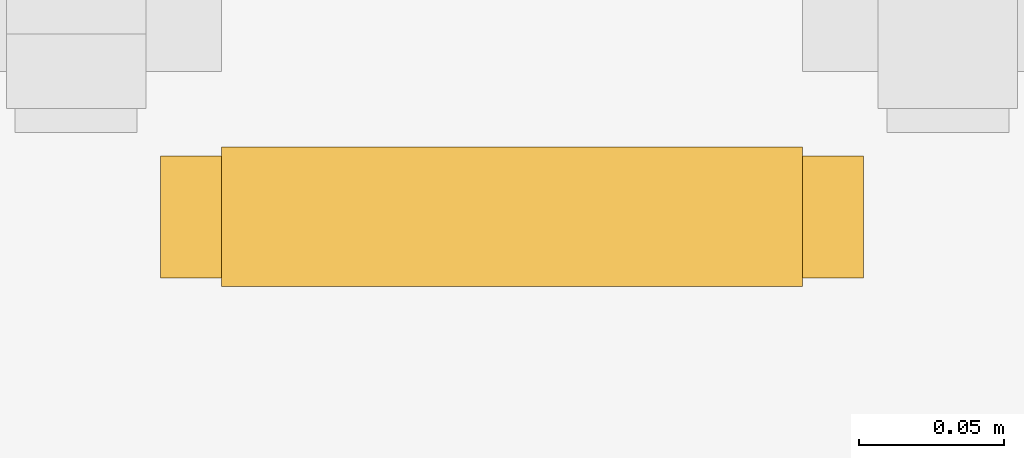
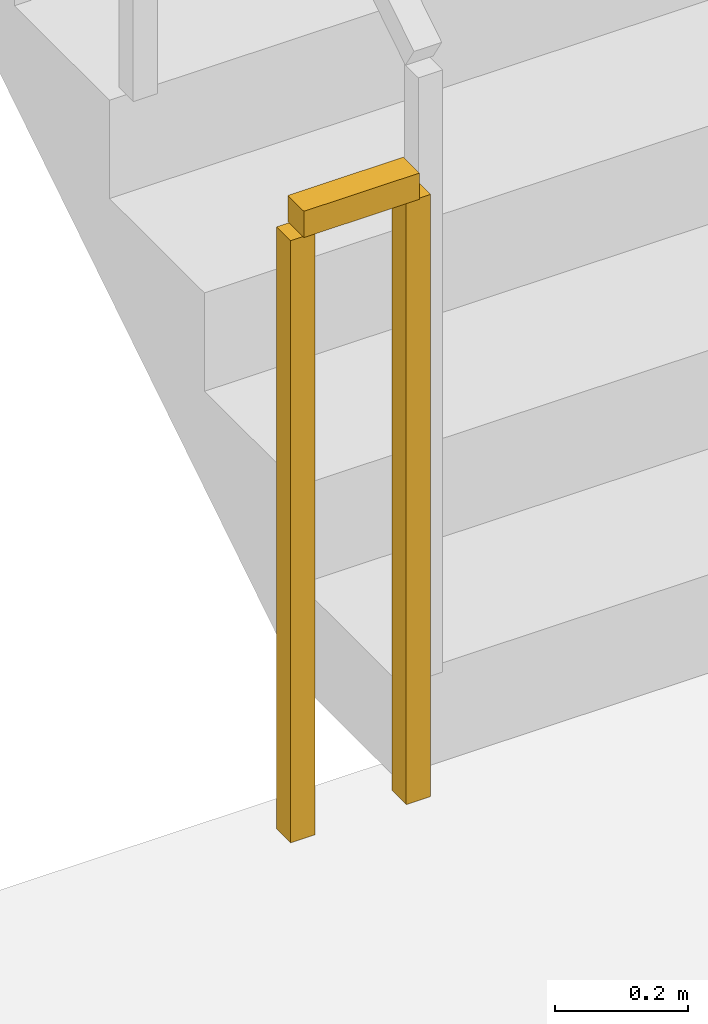
# One storey, part 23 of 25: 1 railing.
"""IFC4 building model written with IfcOpenShell, lengths in metres."""

from ifc_helpers import new_model, si_unit, direction, frame, origin, origin_2d, place, context, subcontext, project, spatial, rectangle, extrude, material, type_object, element, save


model = new_model("IFC4")

# Units and contexts
model_context = context("Model", 3, precision=1e-05, world=origin(), true_north=direction((0.0, 1.0)))
body_context = subcontext(model_context, "Body", "Model", "MODEL_VIEW")
ifc_project = project(units=[si_unit("LENGTHUNIT", "METRE"), si_unit("AREAUNIT", "SQUARE_METRE"), si_unit("VOLUMEUNIT", "CUBIC_METRE"), si_unit("PLANEANGLEUNIT", "RADIAN"), si_unit("MASSUNIT", "GRAM", prefix="KILO")], contexts=[model_context])

# Site, building, storey
site_placement = place(None, origin())
site = spatial("IfcSite", under=ifc_project, at=site_placement, CompositionType="ELEMENT")
building_placement = place(site_placement, origin())
building = spatial("IfcBuilding", under=site, at=building_placement, Name="Sarneth Arch Tower", CompositionType="ELEMENT")
storey_placement = place(building_placement, frame((0.0, 0.0, 84.0)))
storey = spatial("IfcBuildingStorey", under=building, at=storey_placement, Name="L20", CompositionType="ELEMENT", Elevation=84.0)

# Railing
ifc_material = material(Name="Painted Steel S275 stair well guard", Category="steel")
railing_type = type_object("IfcRailingType", Name="RAIL-STAIR-GUARD", PredefinedType="GUARDRAIL", material=ifc_material)
railing_placement = place(storey_placement, frame((39.050048828125, 41.39990234375, 0.0)))
element("IfcRailing", 1, at=railing_placement, inside=storey, type_object=railing_type, Name="L20 ST-1 stair guard 4", PredefinedType="GUARDRAIL", context=body_context, shape_type="SweptSolid", body=[
    extrude(rectangle(XDim=0.048095703125, YDim=0.048095703125, at=origin_2d()), frame((0.0, 0.0, 1.1259765625), z_axis=(-1.0, 0.0, 0.0), x_axis=(0.0, -1.0, 0.0)), (0.0, 0.0, 1.0), 0.199951171875),
    extrude(rectangle(XDim=0.0419921875, YDim=0.0419921875, at=origin_2d()), origin(), (0.0, 0.0, 1.0), 1.101806640625),
    extrude(rectangle(XDim=0.0419921875, YDim=0.0419921875, at=origin_2d()), frame((-0.199951171875, 0.0, 0.0)), (0.0, 0.0, 1.0), 1.101806640625),
])

save(model, "model.ifc")
